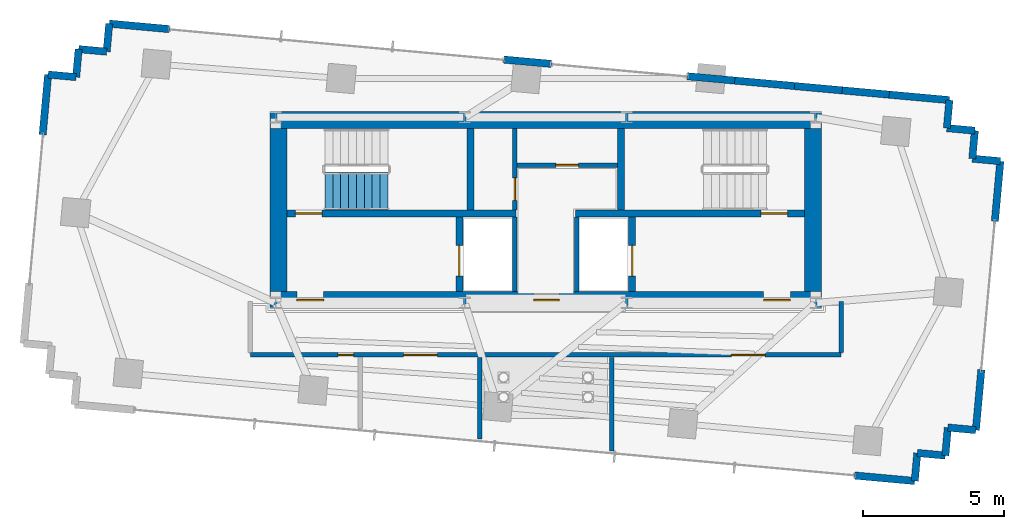
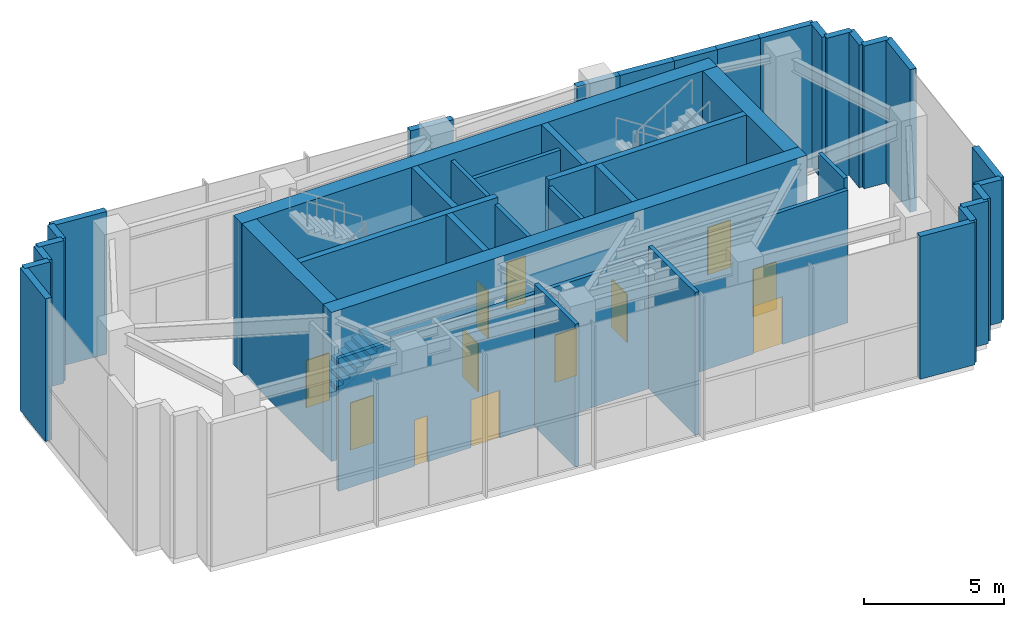
# One storey, part 12 of 14: 41 walls, 12 doors, 1 stair flight, 12 openings, 1 element without a shape of its own.
"""IFC4 building model written with IfcOpenShell, lengths in metres."""

from ifc_helpers import new_model, si_unit, direction, frame, frame_2d, origin, place, context, subcontext, project, spatial, polyline, rectangle, outline, extrude, source, transform, mapped, material, layer, layer_set, type_object, type_shapes, element, fill, aggregate, save


model = new_model("IFC4")

# Units and contexts
model_context = context("Model", 3, precision=1e-05, world=origin(), true_north=direction((0.0, 1.0)))
body_context = subcontext(model_context, "Body", "Model", "MODEL_VIEW")
ifc_project = project(units=[si_unit("LENGTHUNIT", "METRE"), si_unit("AREAUNIT", "SQUARE_METRE"), si_unit("VOLUMEUNIT", "CUBIC_METRE"), si_unit("PLANEANGLEUNIT", "RADIAN"), si_unit("MASSUNIT", "GRAM", prefix="KILO")], contexts=[model_context])

# Site, building, storey
site_placement = place(None, origin())
site = spatial("IfcSite", under=ifc_project, at=site_placement, CompositionType="ELEMENT")
building_placement = place(site_placement, origin())
building = spatial("IfcBuilding", under=site, at=building_placement, Name="Astriad Promenade Condominiums", CompositionType="ELEMENT")
storey_placement = place(building_placement, frame((0.0, 0.0, 270.800048828125)))
storey = spatial("IfcBuildingStorey", under=building, at=storey_placement, Name="L77", CompositionType="ELEMENT", Elevation=270.800048828125)

# Wall, openings, doors
ifc_material_1 = material(Name="Concrete C50/60", Category="concrete")
ifc_layer_1 = layer(ifc_material_1, 0.60009765625)
ifc_layer_set_1 = layer_set([ifc_layer_1], Name="Concrete C50/60")
wall_type_1 = type_object("IfcWallType", Name="CW-SHEAR-600", PredefinedType="SHEAR", material=ifc_layer_set_1)
wall_1_placement = place(storey_placement, frame((26.199951171875, 17.5, 0.0), z_axis=(0.0, 0.0, 1.0), x_axis=(1.0, 0.0, 0.0)))
wall_1 = element("IfcWall", 1, at=wall_1_placement, inside=storey, type_object=wall_type_1, Name="CW-CORE-S-L77", PredefinedType="SHEAR", context=body_context, shape_type="SweptSolid", body=[
    extrude(rectangle(XDim=19.60009765625, YDim=0.60009765625, at=frame_2d((9.800048828125, 0.0))), origin(), (0.0, 0.0, 1.0), 6.5),
])
opening_1_placement = place(wall_1_placement, frame((0.949951171875, 0.0, 0.0)))
opening_1 = element("IfcOpeningElement", 2, at=opening_1_placement, cuts=wall_1, Name="Opening FD90-ST-095", PredefinedType="OPENING", context=body_context, shape_type="SweptSolid", body=[
    extrude(rectangle(XDim=0.949951171875, YDim=2.06005859375, at=frame_2d((0.47509765625, 1.030029296875))), frame((0.0, 0.31005859375, 0.0), z_axis=(0.0, -1.0, 0.0), x_axis=(1.0, 0.0, 0.0)), (0.0, 0.0, 1.0), 0.6201171875),
])
opening_2_placement = place(wall_1_placement, frame((9.3798828125, 0.0, 0.0)))
opening_2 = element("IfcOpeningElement", 3, at=opening_2_placement, cuts=wall_1, Name="Opening FD60-CSL-090", PredefinedType="OPENING", context=body_context, shape_type="SweptSolid", body=[
    extrude(rectangle(XDim=0.89990234375, YDim=2.06005859375, at=frame_2d((0.449951171875, 1.030029296875))), frame((0.0, 0.31005859375, 0.0), z_axis=(0.0, -1.0, 0.0), x_axis=(1.0, 0.0, 0.0)), (0.0, 0.0, 1.0), 0.6201171875),
])
opening_3_placement = place(wall_1_placement, frame((17.550048828125, 0.0, 0.0)))
opening_3 = element("IfcOpeningElement", 4, at=opening_3_placement, cuts=wall_1, Name="Opening FD90-ST-095", PredefinedType="OPENING", context=body_context, shape_type="SweptSolid", body=[
    extrude(rectangle(XDim=0.949951171875, YDim=2.06005859375, at=frame_2d((0.47509765625, 1.030029296875))), frame((0.0, 0.31005859375, 0.0), z_axis=(0.0, -1.0, 0.0), x_axis=(1.0, 0.0, 0.0)), (0.0, 0.0, 1.0), 0.6201171875),
])
ifc_material_2 = material(Name="Fire-Rated Hollow Metal Stair Door")
door_type_1 = type_object("IfcDoorType", Name="FD90-ST-095", OperationType="NOTDEFINED", PredefinedType="DOOR", material=ifc_material_2)
shared_shape_1 = source(origin(), body_context, "Body", "SweptSolid", [
    extrude(rectangle(XDim=0.949951171875, YDim=2.06005859375, at=frame_2d((0.47509765625, 1.030029296875))), frame((0.0, 0.02490234375, 0.0), z_axis=(0.0, -1.0, 0.0), x_axis=(1.0, 0.0, 0.0)), (0.0, 0.0, 1.0), 0.050048828125),
])
type_shapes(door_type_1, [shared_shape_1])
door_1_placement = place(opening_1_placement, origin())
door_1 = element("IfcDoor", 5, at=door_1_placement, inside=storey, type_object=door_type_1, Name="D-FFW-L77", OperationType="SINGLE_SWING_LEFT", OverallHeight=2.06005859375, OverallWidth=0.949951171875, PredefinedType="DOOR", context=body_context, shape_type="MappedRepresentation", body=[
    mapped(shared_shape_1, transform((0.0, 0.0, 0.0), scale=1.0)),
])
fill(opening_1, door_1)
door_2_placement = place(opening_3_placement, origin())
door_2 = element("IfcDoor", 6, at=door_2_placement, inside=storey, type_object=door_type_1, Name="D-FFE-L77", OperationType="SINGLE_SWING_RIGHT", OverallHeight=2.06005859375, OverallWidth=0.949951171875, PredefinedType="DOOR", context=body_context, shape_type="MappedRepresentation", body=[
    mapped(shared_shape_1, transform((0.0, 0.0, 0.0), scale=1.0)),
])
fill(opening_3, door_2)
ifc_material_3 = material(Name="Fire-Rated Service Lobby Door")
door_type_2 = type_object("IfcDoorType", Name="FD60-CSL-090", OperationType="NOTDEFINED", PredefinedType="DOOR", material=ifc_material_3)
shared_shape_2 = source(origin(), body_context, "Body", "SweptSolid", [
    extrude(rectangle(XDim=0.89990234375, YDim=2.06005859375, at=frame_2d((0.449951171875, 1.030029296875))), frame((0.0, 0.02490234375, 0.0), z_axis=(0.0, -1.0, 0.0), x_axis=(1.0, 0.0, 0.0)), (0.0, 0.0, 1.0), 0.050048828125),
])
type_shapes(door_type_2, [shared_shape_2])
door_3_placement = place(opening_2_placement, origin())
door_3 = element("IfcDoor", 7, at=door_3_placement, inside=storey, type_object=door_type_2, Name="D-CSL-L77", OperationType="SINGLE_SWING_RIGHT", OverallHeight=2.06005859375, OverallWidth=0.89990234375, PredefinedType="DOOR", context=body_context, shape_type="MappedRepresentation", body=[
    mapped(shared_shape_2, transform((0.0, 0.0, 0.0), scale=1.0)),
])
fill(opening_2, door_3)

# Walls
wall_2_placement = place(storey_placement, frame((26.199951171875, 23.89990234375, 0.0), z_axis=(0.0, 0.0, 1.0), x_axis=(1.0, 0.0, 0.0)))
element("IfcWall", 8, at=wall_2_placement, inside=storey, type_object=wall_type_1, Name="CW-CORE-N-L77", PredefinedType="SHEAR", context=body_context, shape_type="SweptSolid", body=[
    extrude(rectangle(XDim=19.60009765625, YDim=0.60009765625, at=frame_2d((9.800048828125, 0.0))), origin(), (0.0, 0.0, 1.0), 6.5),
])
for number, where, z_axis, x_axis, name in (
    (9, (26.5, 17.802001953125, 0.0), (0.0, 0.0, 1.0), (0.0, 1.0, 0.0), "CW-CORE-W-L77"),
    (10, (45.5, 17.802001953125, 0.0), (0.0, 0.0, 1.0), (0.0, 1.0, 0.0), "CW-CORE-E-L77"),
):
    element("IfcWall", number, at=place(storey_placement, frame(where, z_axis=z_axis, x_axis=x_axis)), inside=storey, type_object=wall_type_1, Name=name, PredefinedType="SHEAR", context=body_context, shape_type="SweptSolid", body=[
        extrude(rectangle(XDim=5.7958984375, YDim=0.60009765625, at=frame_2d((2.89794921875, 0.0))), origin(), (0.0, 0.0, 1.0), 6.5),
    ])

# Wall, opening, door
ifc_layer_2 = layer(ifc_material_1, 0.25)
ifc_layer_set_2 = layer_set([ifc_layer_2], Name="Concrete C50/60")
wall_type_2 = type_object("IfcWallType", Name="WALL-CORE-INT-250", PredefinedType="SOLIDWALL", material=ifc_layer_set_2)
wall_3_placement = place(storey_placement, frame((26.802001953125, 20.574951171875, 0.0), z_axis=(0.0, 0.0, 1.0), x_axis=(1.0, 0.0, 0.0)))
wall_3 = element("IfcWall", 11, at=wall_3_placement, inside=storey, type_object=wall_type_2, Name="CW-INT-H1-L77", PredefinedType="SOLIDWALL", context=body_context, shape_type="SweptSolid", body=[
    extrude(rectangle(XDim=8.14794921875, YDim=0.25, at=frame_2d((4.073974609375, 0.0))), origin(), (0.0, 0.0, 1.0), 6.5),
])
opening_4_placement = place(wall_3_placement, frame((0.298095703125, 0.0, 0.0)))
opening_4 = element("IfcOpeningElement", 12, at=opening_4_placement, cuts=wall_3, Name="Opening FD90-ST-095", PredefinedType="OPENING", context=body_context, shape_type="SweptSolid", body=[
    extrude(rectangle(XDim=0.949951171875, YDim=2.06005859375, at=frame_2d((0.47509765625, 1.030029296875))), frame((0.0, 0.135009765625, 0.0), z_axis=(0.0, -1.0, 0.0), x_axis=(1.0, 0.0, 0.0)), (0.0, 0.0, 1.0), 0.27001953125),
])
door_4_placement = place(opening_4_placement, origin())
door_4 = element("IfcDoor", 13, at=door_4_placement, inside=storey, type_object=door_type_1, Name="D-ST1-L77", OperationType="SINGLE_SWING_RIGHT", OverallHeight=2.06005859375, OverallWidth=0.949951171875, PredefinedType="DOOR", context=body_context, shape_type="MappedRepresentation", body=[
    mapped(shared_shape_1, transform((0.0, 0.0, 0.0), scale=1.0)),
])
fill(opening_4, door_4)

wall_4_placement = place(storey_placement, frame((37.050048828125, 20.574951171875, 0.0), z_axis=(0.0, 0.0, 1.0), x_axis=(1.0, 0.0, 0.0)))
wall_4 = element("IfcWall", 14, at=wall_4_placement, inside=storey, type_object=wall_type_2, Name="CW-INT-H2-L77", PredefinedType="SOLIDWALL", context=body_context, shape_type="SweptSolid", body=[
    extrude(rectangle(XDim=8.14794921875, YDim=0.25, at=frame_2d((4.073974609375, 0.0))), origin(), (0.0, 0.0, 1.0), 6.5),
])
opening_5_placement = place(wall_4_placement, frame((6.60009765625, 0.0, 0.0)))
opening_5 = element("IfcOpeningElement", 15, at=opening_5_placement, cuts=wall_4, Name="Opening FD90-ST-095", PredefinedType="OPENING", context=body_context, shape_type="SweptSolid", body=[
    extrude(rectangle(XDim=0.949951171875, YDim=2.06005859375, at=frame_2d((0.47509765625, 1.030029296875))), frame((0.0, 0.135009765625, 0.0), z_axis=(0.0, -1.0, 0.0), x_axis=(1.0, 0.0, 0.0)), (0.0, 0.0, 1.0), 0.27001953125),
])
door_5_placement = place(opening_5_placement, origin())
door_5 = element("IfcDoor", 16, at=door_5_placement, inside=storey, type_object=door_type_1, Name="D-ST2-L77", OperationType="SINGLE_SWING_LEFT", OverallHeight=2.06005859375, OverallWidth=0.949951171875, PredefinedType="DOOR", context=body_context, shape_type="MappedRepresentation", body=[
    mapped(shared_shape_1, transform((0.0, 0.0, 0.0), scale=1.0)),
])
fill(opening_5, door_5)

# Walls
for number, where, z_axis, x_axis, name in (
    (17, (33.324951171875, 20.701904296875, 0.0), (0.0, 0.0, 1.0), (0.0, 1.0, 0.0), "CW-ST1-E-L77"),
    (18, (38.675048828125, 20.701904296875, 0.0), (0.0, 0.0, 1.0), (0.0, 1.0, 0.0), "CW-ST2-W-L77"),
):
    element("IfcWall", number, at=place(storey_placement, frame(where, z_axis=z_axis, x_axis=x_axis)), inside=storey, type_object=wall_type_2, Name=name, PredefinedType="SOLIDWALL", context=body_context, shape_type="SweptSolid", body=[
        extrude(rectangle(XDim=2.89599609375, YDim=0.25, at=frame_2d((1.447998046875, 0.0))), origin(), (0.0, 0.0, 1.0), 6.5),
    ])

# Wall, opening, door
wall_5_placement = place(storey_placement, frame((32.925048828125, 17.802001953125, 0.0), z_axis=(0.0, 0.0, 1.0), x_axis=(0.0, 1.0, 0.0)))
wall_5 = element("IfcWall", 19, at=wall_5_placement, inside=storey, type_object=wall_type_2, Name="CW-FFL1-W-L77", PredefinedType="SOLIDWALL", context=body_context, shape_type="SweptSolid", body=[
    extrude(rectangle(XDim=2.64599609375, YDim=0.25, at=frame_2d((1.322998046875, 0.0))), origin(), (0.0, 0.0, 1.0), 6.5),
])
opening_6_placement = place(wall_5_placement, frame((0.548095703125, 0.0, 0.0)))
opening_6 = element("IfcOpeningElement", 20, at=opening_6_placement, cuts=wall_5, Name="Opening LD-FFL-1122", PredefinedType="OPENING", context=body_context, shape_type="SweptSolid", body=[
    extrude(rectangle(XDim=1.10009765625, YDim=2.080078125, at=frame_2d((0.550048828125, 1.0400390625))), frame((0.0, 0.135009765625, 0.0), z_axis=(0.0, -1.0, 0.0), x_axis=(1.0, 0.0, 0.0)), (0.0, 0.0, 1.0), 0.27001953125),
])
ifc_material_4 = material(Name="Brushed Stainless Steel Fire Elevator Landing Door", Category="steel")
door_type_3 = type_object("IfcDoorType", Name="LD-FFL-1122", OperationType="NOTDEFINED", PredefinedType="DOOR", material=ifc_material_4)
shared_shape_3 = source(origin(), body_context, "Body", "SweptSolid", [
    extrude(rectangle(XDim=1.10009765625, YDim=2.080078125, at=frame_2d((0.550048828125, 1.0400390625))), frame((0.0, 0.02490234375, 0.0), z_axis=(0.0, -1.0, 0.0), x_axis=(1.0, 0.0, 0.0)), (0.0, 0.0, 1.0), 0.050048828125),
])
type_shapes(door_type_3, [shared_shape_3])
door_6_placement = place(opening_6_placement, origin())
door_6 = element("IfcDoor", 21, at=door_6_placement, inside=storey, type_object=door_type_3, Name="Elevator Landing Door FFL-1 (L77)", OperationType="SLIDING_TO_LEFT", OverallHeight=2.080078125, OverallWidth=1.10009765625, PredefinedType="DOOR", context=body_context, shape_type="MappedRepresentation", body=[
    mapped(shared_shape_3, transform((0.0, 0.0, 0.0), scale=1.0)),
])
fill(opening_6, door_6)

wall_6_placement = place(storey_placement, frame((39.074951171875, 17.802001953125, 0.0), z_axis=(0.0, 0.0, 1.0), x_axis=(0.0, 1.0, 0.0)))
wall_6 = element("IfcWall", 22, at=wall_6_placement, inside=storey, type_object=wall_type_2, Name="CW-FFL2-E-L77", PredefinedType="SOLIDWALL", context=body_context, shape_type="SweptSolid", body=[
    extrude(rectangle(XDim=2.64599609375, YDim=0.25, at=frame_2d((1.322998046875, 0.0))), origin(), (0.0, 0.0, 1.0), 6.5),
])
opening_7_placement = place(wall_6_placement, frame((0.548095703125, 0.0, 0.0)))
opening_7 = element("IfcOpeningElement", 23, at=opening_7_placement, cuts=wall_6, Name="Opening LD-FFL-1122", PredefinedType="OPENING", context=body_context, shape_type="SweptSolid", body=[
    extrude(rectangle(XDim=1.10009765625, YDim=2.080078125, at=frame_2d((0.550048828125, 1.0400390625))), frame((0.0, 0.135009765625, 0.0), z_axis=(0.0, -1.0, 0.0), x_axis=(1.0, 0.0, 0.0)), (0.0, 0.0, 1.0), 0.27001953125),
])
door_7_placement = place(opening_7_placement, origin())
door_7 = element("IfcDoor", 24, at=door_7_placement, inside=storey, type_object=door_type_3, Name="Elevator Landing Door FFL-2 (L77)", OperationType="SLIDING_TO_RIGHT", OverallHeight=2.080078125, OverallWidth=1.10009765625, PredefinedType="DOOR", context=body_context, shape_type="MappedRepresentation", body=[
    mapped(shared_shape_3, transform((0.0, 0.0, 0.0), scale=1.0)),
])
fill(opening_7, door_7)

# Walls
ifc_material_5 = material(Name="Fire-Rated Gypsum Partition")
ifc_layer_3 = layer(ifc_material_5, 0.159912109375)
ifc_layer_set_3 = layer_set([ifc_layer_3], Name="Fire-Rated Gypsum Partition")
wall_type_3 = type_object("IfcWallType", Name="WALL-CORR-160", PredefinedType="PARTITIONING", material=ifc_layer_set_3)
for number, where, z_axis, x_axis, name in (
    (25, (34.89990234375, 17.802001953125, 0.0), (0.0, 0.0, 1.0), (0.0, 1.0, 0.0), "CW-FFL1-E-L77"),
    (26, (37.10009765625, 17.802001953125, 0.0), (0.0, 0.0, 1.0), (0.0, 1.0, 0.0), "CW-FFL2-W-L77"),
):
    element("IfcWall", number, at=place(storey_placement, frame(where, z_axis=z_axis, x_axis=x_axis)), inside=storey, type_object=wall_type_3, Name=name, PredefinedType="PARTITIONING", context=body_context, shape_type="SweptSolid", body=[
        extrude(rectangle(XDim=2.64599609375, YDim=0.159912109375, at=frame_2d((1.322998046875, 0.0))), origin(), (0.0, 0.0, 1.0), 6.219970703125),
    ])

# Wall, opening, door
wall_7_placement = place(storey_placement, frame((34.89990234375, 20.701904296875, 0.0), z_axis=(0.0, 0.0, 1.0), x_axis=(0.0, 1.0, 0.0)))
wall_7 = element("IfcWall", 27, at=wall_7_placement, inside=storey, type_object=wall_type_3, Name="CW-AUX-W-L77", PredefinedType="PARTITIONING", context=body_context, shape_type="SweptSolid", body=[
    extrude(rectangle(XDim=2.89599609375, YDim=0.159912109375, at=frame_2d((1.447998046875, 0.0))), origin(), (0.0, 0.0, 1.0), 6.219970703125),
])
opening_8_placement = place(wall_7_placement, frame((0.347900390625, 0.0, 0.0)))
opening_8 = element("IfcOpeningElement", 28, at=opening_8_placement, cuts=wall_7, Name="Opening FD60-SV-080", PredefinedType="OPENING", context=body_context, shape_type="SweptSolid", body=[
    extrude(rectangle(XDim=0.800048828125, YDim=2.050048828125, at=frame_2d((0.39990234375, 1.02490234375))), frame((0.0, 0.08984375, 0.0), z_axis=(0.0, -1.0, 0.0), x_axis=(1.0, 0.0, 0.0)), (0.0, 0.0, 1.0), 0.179931640625),
])
ifc_material_6 = material(Name="Fire-Rated Riser Closet Door")
door_type_4 = type_object("IfcDoorType", Name="FD60-SV-080", OperationType="NOTDEFINED", PredefinedType="DOOR", material=ifc_material_6)
shared_shape_4 = source(origin(), body_context, "Body", "SweptSolid", [
    extrude(rectangle(XDim=0.800048828125, YDim=2.050048828125, at=frame_2d((0.39990234375, 1.02490234375))), frame((0.0, 0.02490234375, 0.0), z_axis=(0.0, -1.0, 0.0), x_axis=(1.0, 0.0, 0.0)), (0.0, 0.0, 1.0), 0.050048828125),
])
type_shapes(door_type_4, [shared_shape_4])
door_8_placement = place(opening_8_placement, origin())
door_8 = element("IfcDoor", 29, at=door_8_placement, inside=storey, type_object=door_type_4, Name="D-AUX1-L77", OperationType="SINGLE_SWING_RIGHT", OverallHeight=2.050048828125, OverallWidth=0.800048828125, PredefinedType="DOOR", context=body_context, shape_type="MappedRepresentation", body=[
    mapped(shared_shape_4, transform((0.0, 0.0, 0.0), scale=1.0)),
])
fill(opening_8, door_8)

wall_8_placement = place(storey_placement, frame((34.98193359375, 22.300048828125, 0.0), z_axis=(0.0, 0.0, 1.0), x_axis=(1.0, 0.0, 0.0)))
wall_8 = element("IfcWall", 30, at=wall_8_placement, inside=storey, type_object=wall_type_3, Name="CW-AUX-N-L77", PredefinedType="PARTITIONING", context=body_context, shape_type="SweptSolid", body=[
    extrude(rectangle(XDim=3.566162109375, YDim=0.159912109375, at=frame_2d((1.783203125, 0.0))), origin(), (0.0, 0.0, 1.0), 6.219970703125),
])
opening_9_placement = place(wall_8_placement, frame((1.3779296875, 0.0, 0.0)))
opening_9 = element("IfcOpeningElement", 31, at=opening_9_placement, cuts=wall_8, Name="Opening FD60-SV-080", PredefinedType="OPENING", context=body_context, shape_type="SweptSolid", body=[
    extrude(rectangle(XDim=0.800048828125, YDim=2.050048828125, at=frame_2d((0.39990234375, 1.02490234375))), frame((0.0, 0.08984375, 0.0), z_axis=(0.0, -1.0, 0.0), x_axis=(1.0, 0.0, 0.0)), (0.0, 0.0, 1.0), 0.179931640625),
])
door_9_placement = place(opening_9_placement, origin())
door_9 = element("IfcDoor", 32, at=door_9_placement, inside=storey, type_object=door_type_4, Name="D-AUX2-L77", OperationType="SINGLE_SWING_LEFT", OverallHeight=2.050048828125, OverallWidth=0.800048828125, PredefinedType="DOOR", context=body_context, shape_type="MappedRepresentation", body=[
    mapped(shared_shape_4, transform((0.0, 0.0, 0.0), scale=1.0)),
])
fill(opening_9, door_9)

# Wall, openings, doors
wall_9_placement = place(storey_placement, frame((25.5, 15.550048828125, 0.0), z_axis=(0.0, 0.0, 1.0), x_axis=(1.0, 0.0, 0.0)))
wall_9 = element("IfcWall", 33, at=wall_9_placement, inside=storey, type_object=wall_type_3, Name="PT-L77-CS", PredefinedType="PARTITIONING", context=body_context, shape_type="SweptSolid", body=[
    extrude(rectangle(XDim=21.0, YDim=0.159912109375, at=frame_2d((10.5, 0.0))), origin(), (0.0, 0.0, 1.0), 5.78466796875),
])
opening_10_placement = place(wall_9_placement, frame((3.1201171875, 0.0, 0.0)))
opening_10 = element("IfcOpeningElement", 34, at=opening_10_placement, cuts=wall_9, Name="Opening FD60-AC-055", PredefinedType="OPENING", context=body_context, shape_type="SweptSolid", body=[
    extrude(rectangle(XDim=0.550048828125, YDim=2.02001953125, at=frame_2d((0.27490234375, 1.010009765625))), frame((0.0, 0.08984375, 0.0), z_axis=(0.0, -1.0, 0.0), x_axis=(1.0, 0.0, 0.0)), (0.0, 0.0, 1.0), 0.179931640625),
])
opening_11_placement = place(wall_9_placement, frame((5.449951171875, 0.0, 0.0)))
opening_11 = element("IfcOpeningElement", 35, at=opening_11_placement, cuts=wall_9, Name="Opening FD90-PLT-1222", PredefinedType="OPENING", context=body_context, shape_type="SweptSolid", body=[
    extrude(rectangle(XDim=1.199951171875, YDim=2.080078125, at=frame_2d((0.60009765625, 1.0400390625))), frame((0.0, 0.08984375, 0.0), z_axis=(0.0, -1.0, 0.0), x_axis=(1.0, 0.0, 0.0)), (0.0, 0.0, 1.0), 0.179931640625),
])
opening_12_placement = place(wall_9_placement, frame((17.10009765625, 0.0, 0.0)))
opening_12 = element("IfcOpeningElement", 36, at=opening_12_placement, cuts=wall_9, Name="Opening FD90-PLT-1222", PredefinedType="OPENING", context=body_context, shape_type="SweptSolid", body=[
    extrude(rectangle(XDim=1.199951171875, YDim=2.080078125, at=frame_2d((0.60009765625, 1.0400390625))), frame((0.0, 0.08984375, 0.0), z_axis=(0.0, -1.0, 0.0), x_axis=(1.0, 0.0, 0.0)), (0.0, 0.0, 1.0), 0.179931640625),
])
ifc_material_7 = material(Name="Fire-Rated Double-Insulated Plant Door")
door_type_5 = type_object("IfcDoorType", Name="FD90-PLT-1222", OperationType="NOTDEFINED", PredefinedType="DOOR", material=ifc_material_7)
shared_shape_5 = source(origin(), body_context, "Body", "SweptSolid", [
    extrude(rectangle(XDim=1.199951171875, YDim=2.080078125, at=frame_2d((0.60009765625, 1.0400390625))), frame((0.0, 0.02490234375, 0.0), z_axis=(0.0, -1.0, 0.0), x_axis=(1.0, 0.0, 0.0)), (0.0, 0.0, 1.0), 0.050048828125),
])
type_shapes(door_type_5, [shared_shape_5])
door_10_placement = place(opening_11_placement, origin())
door_10 = element("IfcDoor", 37, at=door_10_placement, inside=storey, type_object=door_type_5, Name="D-L77-PC", OperationType="SINGLE_SWING_LEFT", OverallHeight=2.080078125, OverallWidth=1.199951171875, PredefinedType="DOOR", context=body_context, shape_type="MappedRepresentation", body=[
    mapped(shared_shape_5, transform((0.0, 0.0, 0.0), scale=1.0)),
])
fill(opening_11, door_10)
door_11_placement = place(opening_12_placement, origin())
door_11 = element("IfcDoor", 38, at=door_11_placement, inside=storey, type_object=door_type_5, Name="D-L77-PE", OperationType="SINGLE_SWING_RIGHT", OverallHeight=2.080078125, OverallWidth=1.199951171875, PredefinedType="DOOR", context=body_context, shape_type="MappedRepresentation", body=[
    mapped(shared_shape_5, transform((0.0, 0.0, 0.0), scale=1.0)),
])
fill(opening_12, door_11)
ifc_material_8 = material(Name="Fire-Rated Duct Access Door")
door_type_6 = type_object("IfcDoorType", Name="FD60-AC-055", OperationType="NOTDEFINED", PredefinedType="DOOR", material=ifc_material_8)
shared_shape_6 = source(origin(), body_context, "Body", "SweptSolid", [
    extrude(rectangle(XDim=0.550048828125, YDim=2.02001953125, at=frame_2d((0.27490234375, 1.010009765625))), frame((0.0, 0.02490234375, 0.0), z_axis=(0.0, -1.0, 0.0), x_axis=(1.0, 0.0, 0.0)), (0.0, 0.0, 1.0), 0.050048828125),
])
type_shapes(door_type_6, [shared_shape_6])
door_12_placement = place(opening_10_placement, origin())
door_12 = element("IfcDoor", 39, at=door_12_placement, inside=storey, type_object=door_type_6, Name="D-L77-PW", OperationType="SINGLE_SWING_RIGHT", OverallHeight=2.02001953125, OverallWidth=0.550048828125, PredefinedType="DOOR", context=body_context, shape_type="MappedRepresentation", body=[
    mapped(shared_shape_6, transform((0.0, 0.0, 0.0), scale=1.0)),
])
fill(opening_10, door_12)

# Walls
wall_10_placement = place(storey_placement, frame((46.5, 15.632080078125, 0.0), z_axis=(0.0, 0.0, 1.0), x_axis=(0.0, 1.0, 0.0)))
element("IfcWall", 40, at=wall_10_placement, inside=storey, type_object=wall_type_3, Name="PT-L77-CESP", PredefinedType="PARTITIONING", context=body_context, shape_type="SweptSolid", body=[
    extrude(rectangle(XDim=1.81787109375, YDim=0.159912109375, at=frame_2d((0.908935546875, 0.0))), origin(), (0.0, 0.0, 1.0), 6.219970703125),
])
wall_11_placement = place(storey_placement, frame((38.35009765625, 12.129150390625, 0.0), z_axis=(0.0, 0.0, 1.0), x_axis=(0.0, 1.0, 0.0)))
element("IfcWall", 41, at=wall_11_placement, inside=storey, type_object=wall_type_3, Name="PT-L77-VE", PredefinedType="PARTITIONING", context=body_context, shape_type="SweptSolid", body=[
    extrude(rectangle(XDim=3.3388671875, YDim=0.159912109375, at=frame_2d((1.66943359375, 0.0))), origin(), (0.0, 0.0, 1.0), 6.219970703125),
])
wall_12_placement = place(storey_placement, frame((33.64990234375, 12.556884765625, 0.0), z_axis=(0.0, 0.0, 1.0), x_axis=(0.0, 1.0, 0.0)))
element("IfcWall", 42, at=wall_12_placement, inside=storey, type_object=wall_type_3, Name="PT-L77-TMDW", PredefinedType="PARTITIONING", context=body_context, shape_type="SweptSolid", body=[
    extrude(rectangle(XDim=2.9111328125, YDim=0.159912109375, at=frame_2d((1.45556640625, 0.0))), origin(), (0.0, 0.0, 1.0), 6.219970703125),
])
ifc_material_9 = material(Name="Precast concrete C50/60", Category="concrete")
ifc_layer_4 = layer(ifc_material_9, 0.260009765625)
ifc_layer_set_4 = layer_set([ifc_layer_4], Name="Precast concrete C50/60")
wall_type_4 = type_object("IfcWallType", Name="WALL-EXT-TWR-260", PredefinedType="STANDARD", material=ifc_layer_set_4)
wall_13_placement = place(storey_placement, frame((18.110107421875, 23.3798828125, 0.0), z_axis=(0.0, 0.0, 1.0), x_axis=(0.090617654952, 0.995885756807, 0.0)))
element("IfcWall", 43, at=wall_13_placement, inside=storey, type_object=wall_type_4, Name="W-LNT-L77-03B", PredefinedType="STANDARD", context=body_context, shape_type="SweptSolid", body=[
    extrude(rectangle(XDim=2.14990234375, YDim=0.260009765625, at=frame_2d((1.074951171875, 0.0))), origin(), (0.0, 0.0, 1.0), 6.219970703125),
])
for number, where, z_axis, x_axis, name in (
    (44, (18.304931640625, 25.52099609375, 0.0), (0.0, 0.0, 1.0), (0.99588920303, -0.090579773063, 0.0), "W-LNT-L77-04"),
    (45, (19.30078125, 25.430419921875, 0.0), (0.0, 0.0, 1.0), (0.090821912176, 0.995867149909, 0.0), "W-LNT-L77-05"),
    (46, (19.3916015625, 26.42626953125, 0.0), (0.0, 0.0, 1.0), (0.99588920303, -0.090579773063, 0.0), "W-LNT-L77-06"),
    (47, (20.387451171875, 26.335693359375, 0.0), (0.0, 0.0, 1.0), (0.090579773063, 0.99588920303, 0.0), "W-LNT-L77-07"),
):
    element("IfcWall", number, at=place(storey_placement, frame(where, z_axis=z_axis, x_axis=x_axis)), inside=storey, type_object=wall_type_4, Name=name, PredefinedType="STANDARD", context=body_context, shape_type="SweptSolid", body=[
        extrude(rectangle(XDim=1.0, YDim=0.260009765625, at=frame_2d((0.5, 0.0))), origin(), (0.0, 0.0, 1.0), 6.219970703125),
    ])
for number, where, z_axis, x_axis, name in (
    (48, (20.47802734375, 27.33154296875, 0.0), (0.0, 0.0, 1.0), (0.995885756807, -0.090617654952, 0.0), "W-LNT-L77-08A"),
    (49, (48.21337890625, 24.807373046875, 0.0), (0.0, 0.0, 1.0), (0.995885756807, -0.090617654952, 0.0), "W-LNT-L77-08B"),
):
    element("IfcWall", number, at=place(storey_placement, frame(where, z_axis=z_axis, x_axis=x_axis)), inside=storey, type_object=wall_type_4, Name=name, PredefinedType="STANDARD", context=body_context, shape_type="SweptSolid", body=[
        extrude(rectangle(XDim=2.14990234375, YDim=0.260009765625, at=frame_2d((1.074951171875, 0.0))), origin(), (0.0, 0.0, 1.0), 6.219970703125),
    ])
for number, where, z_axis, x_axis, name in (
    (50, (34.50830078125, 26.0546875, 0.0), (0.0, 0.0, 1.0), (0.995871989122, -0.090768834313, 0.0), "W-LNTC-L77-08-127"),
    (51, (41.027099609375, 25.461181640625, 0.0), (0.0, 0.0, 1.0), (0.995897914147, -0.090483946627, 0.0), "W-LNTC-L77-08-193"),
):
    element("IfcWall", number, at=place(storey_placement, frame(where, z_axis=z_axis, x_axis=x_axis)), inside=storey, type_object=wall_type_4, Name=name, PredefinedType="STANDARD", context=body_context, shape_type="SweptSolid", body=[
        extrude(rectangle(XDim=1.699951171875, YDim=0.260009765625, at=frame_2d((0.85009765625, 0.0))), origin(), (0.0, 0.0, 1.0), 6.219970703125),
    ])
wall_14_placement = place(storey_placement, frame((42.719970703125, 25.307373046875, 0.0), z_axis=(0.0, 0.0, 1.0), x_axis=(0.995876331405, -0.090721180259, 0.0)))
element("IfcWall", 52, at=wall_14_placement, inside=storey, type_object=wall_type_4, Name="W-LNTFILL-L77-08-201", PredefinedType="STANDARD", context=body_context, shape_type="SweptSolid", body=[
    extrude(rectangle(XDim=2.13671875, YDim=0.260009765625, at=frame_2d((1.068359375, 0.0))), origin(), (0.0, 0.0, 1.0), 6.219970703125),
])
wall_15_placement = place(storey_placement, frame((44.847900390625, 25.113525390625, 0.0), z_axis=(0.0, 0.0, 1.0), x_axis=(0.995884961653, -0.090626393251, 0.0)))
element("IfcWall", 53, at=wall_15_placement, inside=storey, type_object=wall_type_4, Name="W-LNTC-L77-08-231", PredefinedType="STANDARD", context=body_context, shape_type="SweptSolid", body=[
    extrude(rectangle(XDim=1.699951171875, YDim=0.260009765625, at=frame_2d((0.85009765625, 0.0))), origin(), (0.0, 0.0, 1.0), 6.219970703125),
])
wall_16_placement = place(storey_placement, frame((46.540771484375, 24.95947265625, 0.0), z_axis=(0.0, 0.0, 1.0), x_axis=(0.995890823101, -0.090561959246, 0.0)))
element("IfcWall", 54, at=wall_16_placement, inside=storey, type_object=wall_type_4, Name="W-LNTFILL-L77-08-240", PredefinedType="STANDARD", context=body_context, shape_type="SweptSolid", body=[
    extrude(rectangle(XDim=1.679443359375, YDim=0.260009765625, at=frame_2d((0.83984375, 0.0))), origin(), (0.0, 0.0, 1.0), 6.219970703125),
])
for number, where, z_axis, x_axis, name in (
    (55, (50.3544921875, 24.612548828125, 0.0), (0.0, 0.0, 1.0), (-0.090579773063, -0.99588920303, 0.0), "W-LNT-L77-09"),
    (56, (50.263916015625, 23.61669921875, 0.0), (0.0, 0.0, 1.0), (0.995867149909, -0.090821912176, 0.0), "W-LNT-L77-10"),
    (57, (51.259765625, 23.52587890625, 0.0), (0.0, 0.0, 1.0), (-0.090579773063, -0.99588920303, 0.0), "W-LNT-L77-11"),
    (58, (51.169189453125, 22.530029296875, 0.0), (0.0, 0.0, 1.0), (0.99588920303, -0.090579773063, 0.0), "W-LNT-L77-12"),
):
    element("IfcWall", number, at=place(storey_placement, frame(where, z_axis=z_axis, x_axis=x_axis)), inside=storey, type_object=wall_type_4, Name=name, PredefinedType="STANDARD", context=body_context, shape_type="SweptSolid", body=[
        extrude(rectangle(XDim=1.0, YDim=0.260009765625, at=frame_2d((0.5, 0.0))), origin(), (0.0, 0.0, 1.0), 6.219970703125),
    ])
wall_17_placement = place(storey_placement, frame((52.1650390625, 22.439453125, 0.0), z_axis=(0.0, 0.0, 1.0), x_axis=(-0.090617654952, -0.995885756807, 0.0)))
element("IfcWall", 59, at=wall_17_placement, inside=storey, type_object=wall_type_4, Name="W-LNT-L77-13A", PredefinedType="STANDARD", context=body_context, shape_type="SweptSolid", body=[
    extrude(rectangle(XDim=2.14990234375, YDim=0.260009765625, at=frame_2d((1.074951171875, 0.0))), origin(), (0.0, 0.0, 1.0), 6.219970703125),
])
wall_18_placement = place(storey_placement, frame((51.489990234375, 15.020263671875, 0.0), z_axis=(0.0, 0.0, 1.0), x_axis=(-0.090720017492, -0.995876437329, 0.0)))
element("IfcWall", 60, at=wall_18_placement, inside=storey, type_object=wall_type_4, Name="W-LNT-L77-13B", PredefinedType="STANDARD", context=body_context, shape_type="SweptSolid", body=[
    extrude(rectangle(XDim=2.150146484375, YDim=0.260009765625, at=frame_2d((1.0751953125, 0.0))), origin(), (0.0, 0.0, 1.0), 6.219970703125),
])
for number, where, z_axis, x_axis, name in (
    (61, (51.294921875, 12.87890625, 0.0), (0.0, 0.0, 1.0), (-0.99588920303, 0.090579773063, 0.0), "W-LNT-L77-14"),
    (62, (50.299072265625, 12.969482421875, 0.0), (0.0, 0.0, 1.0), (-0.090579773063, -0.99588920303, 0.0), "W-LNT-L77-15"),
    (63, (50.20849609375, 11.9736328125, 0.0), (0.0, 0.0, 1.0), (-0.995867149909, 0.090821912176, 0.0), "W-LNT-L77-16"),
    (64, (49.212646484375, 12.064453125, 0.0), (0.0, 0.0, 1.0), (-0.090579773063, -0.99588920303, 0.0), "W-LNT-L77-17"),
):
    element("IfcWall", number, at=place(storey_placement, frame(where, z_axis=z_axis, x_axis=x_axis)), inside=storey, type_object=wall_type_4, Name=name, PredefinedType="STANDARD", context=body_context, shape_type="SweptSolid", body=[
        extrude(rectangle(XDim=1.0, YDim=0.260009765625, at=frame_2d((0.5, 0.0))), origin(), (0.0, 0.0, 1.0), 6.219970703125),
    ])
wall_19_placement = place(storey_placement, frame((49.1220703125, 11.068603515625, 0.0), z_axis=(0.0, 0.0, 1.0), x_axis=(-0.99588668912, 0.090607408268, 0.0)))
element("IfcWall", 65, at=wall_19_placement, inside=storey, type_object=wall_type_4, Name="W-LNT-L77-18A", PredefinedType="STANDARD", context=body_context, shape_type="SweptSolid", body=[
    extrude(rectangle(XDim=2.150146484375, YDim=0.260009765625, at=frame_2d((1.0751953125, 0.0))), origin(), (0.0, 0.0, 1.0), 6.219970703125),
])

# Stair, stair flight
stair_type = type_object("IfcStairType", Name="STR-CORE-1350", PredefinedType="HALF_TURN_STAIR", material=ifc_material_1)
stair_placement = place(storey_placement, origin())
stair = element("IfcStair", 66, at=stair_placement, inside=storey, type_object=stair_type, Name="L77 Enclosed Core Exit Stair ST-1", PredefinedType="HALF_TURN_STAIR")
stair_flight_type = type_object("IfcStairFlightType", Name="SFL-CORE-1350", PredefinedType="STRAIGHT", material=ifc_material_1)
shared_shape_7 = source(origin(), body_context, "Body", "SweptSolid", [
    extrude(outline(polyline([(0.0, 0.0), (0.0, 0.1806640625), (0.280029296875, 0.1806640625), (0.280029296875, 0.361083984375), (0.56005859375, 0.361083984375), (0.56005859375, 0.541748046875), (0.840087890625, 0.541748046875), (0.840087890625, 0.72216796875), (1.1201171875, 0.72216796875), (1.1201171875, 0.90283203125), (1.39990234375, 0.90283203125), (1.39990234375, 1.083251953125), (1.679931640625, 1.083251953125), (1.679931640625, 1.263916015625), (1.9599609375, 1.263916015625), (1.9599609375, 1.4443359375), (2.239990234375, 1.4443359375), (2.239990234375, 1.625), (2.239990234375, 1.26611328125), (0.276611328125, 0.0), (0.0, 0.0)])), frame((0.0, 0.675048828125, 0.0), z_axis=(0.0, -1.0, 0.0), x_axis=(1.0, 0.0, 0.0)), (0.0, 0.0, 1.0), 1.35009765625),
])
type_shapes(stair_flight_type, [shared_shape_7])
stair_flight_placement = place(storey_placement, frame((28.14990234375, 21.375, 0.0), z_axis=(0.0, 0.0, 1.0), x_axis=(1.0, 0.0, 0.0)))
stair_flight = element("IfcStairFlight", 67, at=stair_flight_placement, type_object=stair_flight_type, Name="ST-1 flight 1", NumberOfRisers=9, NumberOfTreads=8, PredefinedType="STRAIGHT", RiserHeight=0.180555556, TreadLength=0.28, context=body_context, shape_type="MappedRepresentation", body=[
    mapped(shared_shape_7, transform((0.0, 0.0, 0.0), scale=1.0)),
])
aggregate(stair, [stair_flight])

save(model, "model.ifc")
